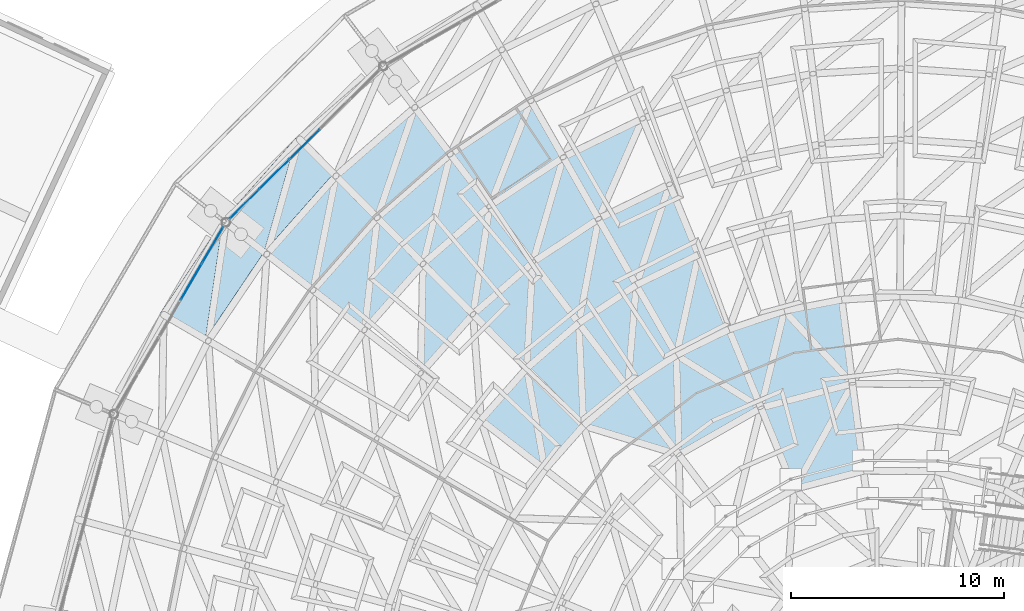
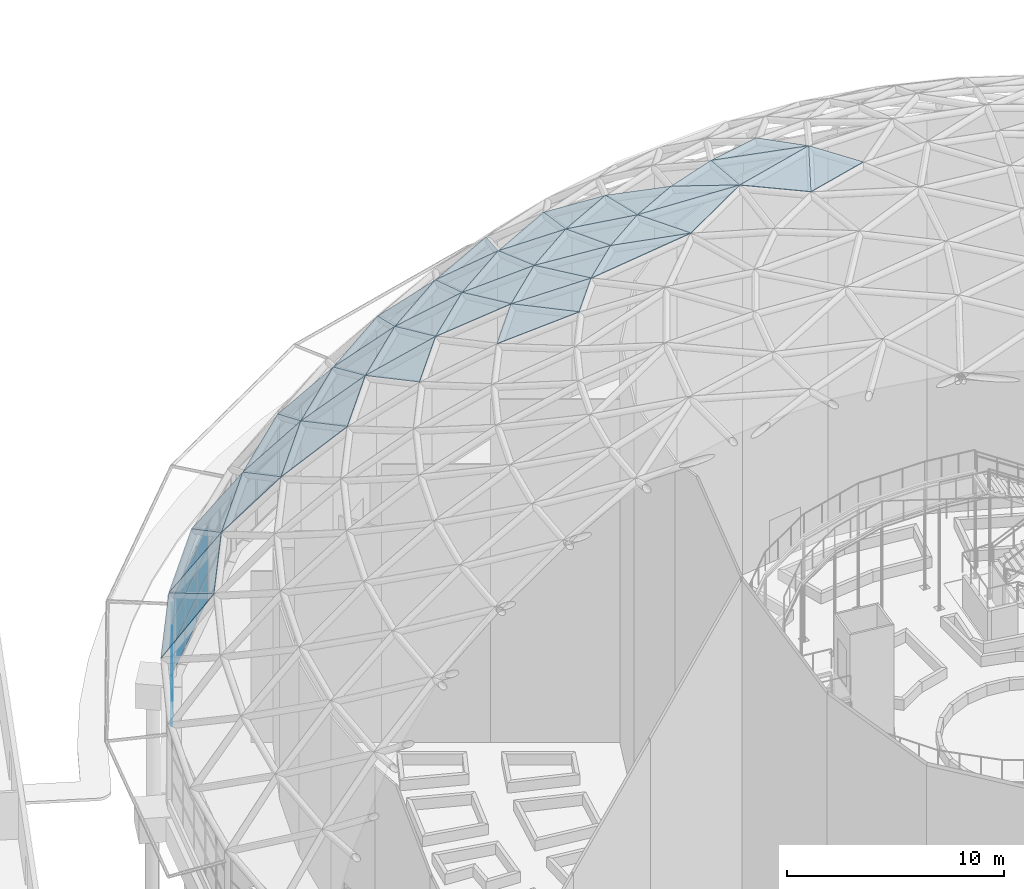
# One storey, part 141 of 226: 58 plates, 2 elements without a shape of their own.
"""IFC4 building model written with IfcOpenShell, lengths in metres."""

from ifc_helpers import new_model, si_unit, direction, frame, origin, origin_2d, place, context, subcontext, project, spatial, polyline, rectangle, outline, extrude, material, layer, layer_set, type_object, element, aggregate, save


model = new_model("IFC4")

# Units and contexts
model_context = context("Model", 3, precision=1e-05, world=origin(), true_north=direction((0.0, 1.0)))
body_context = subcontext(model_context, "Body", "Model", "MODEL_VIEW")
ifc_project = project(units=[si_unit("LENGTHUNIT", "METRE"), si_unit("AREAUNIT", "SQUARE_METRE"), si_unit("VOLUMEUNIT", "CUBIC_METRE"), si_unit("PLANEANGLEUNIT", "RADIAN"), si_unit("MASSUNIT", "GRAM", prefix="KILO")], contexts=[model_context])

# Site, building, storey
site_placement = place(None, origin())
site = spatial("IfcSite", under=ifc_project, at=site_placement, CompositionType="ELEMENT")
building_placement = place(site_placement, origin())
building = spatial("IfcBuilding", under=site, at=building_placement, Name="Ceibo Conservatory and Research Tower", CompositionType="ELEMENT")
storey_placement = place(building_placement, origin())
storey = spatial("IfcBuildingStorey", under=building, at=storey_placement, Name="L00", CompositionType="ELEMENT", Elevation=0.0)

# Curtain wall, plates
ifc_material_1 = material(Name="Aluminium and glass", Category="aluminium")
curtain_wall_type = type_object("IfcCurtainWallType", Name="Drum curtain wall", PredefinedType="NOTDEFINED", material=ifc_material_1)
curtain_wall_1_placement = place(storey_placement, origin())
curtain_wall_1 = element("IfcCurtainWall", 1, at=curtain_wall_1_placement, inside=storey, type_object=curtain_wall_type, Name="Drum curtain wall A-CW09", PredefinedType="NOTDEFINED")
ifc_material_2 = material(Name="Laminated glass", Category="glass")
ifc_layer_1 = layer(ifc_material_2, 0.028076171875)
ifc_layer_set_1 = layer_set([ifc_layer_1], Name="Laminated glass")
plate_type_1 = type_object("IfcPlateType", Name="Drum glass 28", PredefinedType="CURTAIN_PANEL", material=ifc_layer_set_1)
plate_1_placement = place(storey_placement, frame((128.080322265625, 136.164306640625, 0.06005859375), z_axis=(0.0, 0.0, 1.0), x_axis=(-0.71018535052, -0.704014749779, 0.0)))
plate_1 = element("IfcPlate", 2, at=plate_1_placement, type_object=plate_type_1, Name="A-CW09 panel 3.1", PredefinedType="CURTAIN_PANEL", context=body_context, shape_type="SweptSolid", body=[
    extrude(rectangle(XDim=1.947021484375, YDim=0.028076171875, at=origin_2d()), origin(), (0.0, 0.0, 1.0), 1.43994140625),
])
plate_2_placement = place(storey_placement, frame((128.080322265625, 136.164306640625, 1.56005859375), z_axis=(0.0, 0.0, 1.0), x_axis=(-0.71018535052, -0.704014749779, 0.0)))
plate_2 = element("IfcPlate", 3, at=plate_2_placement, type_object=plate_type_1, Name="A-CW09 panel 3.2", PredefinedType="CURTAIN_PANEL", context=body_context, shape_type="SweptSolid", body=[
    extrude(rectangle(XDim=1.947021484375, YDim=0.028076171875, at=origin_2d()), origin(), (0.0, 0.0, 1.0), 1.425048828125),
])
plate_3_placement = place(storey_placement, frame((128.080322265625, 136.164306640625, 3.044921875), z_axis=(0.0, 0.0, 1.0), x_axis=(-0.71018535052, -0.704014749779, 0.0)))
plate_3 = element("IfcPlate", 4, at=plate_3_placement, type_object=plate_type_1, Name="A-CW09 panel 3.3", PredefinedType="CURTAIN_PANEL", context=body_context, shape_type="SweptSolid", body=[
    extrude(rectangle(XDim=1.947021484375, YDim=0.028076171875, at=origin_2d()), origin(), (0.0, 0.0, 1.0), 1.233154296875),
])
plate_4_placement = place(storey_placement, frame((126.65478515625, 134.751220703125, 0.06005859375), z_axis=(0.0, 0.0, 1.0), x_axis=(-0.71018535052, -0.704014749779, 0.0)))
plate_4 = element("IfcPlate", 5, at=plate_4_placement, type_object=plate_type_1, Name="A-CW09 panel 4.1", PredefinedType="CURTAIN_PANEL", context=body_context, shape_type="SweptSolid", body=[
    extrude(rectangle(XDim=1.947021484375, YDim=0.028076171875, at=origin_2d()), origin(), (0.0, 0.0, 1.0), 1.43994140625),
])
plate_5_placement = place(storey_placement, frame((126.65478515625, 134.751220703125, 1.56005859375), z_axis=(0.0, 0.0, 1.0), x_axis=(-0.71018535052, -0.704014749779, 0.0)))
plate_5 = element("IfcPlate", 6, at=plate_5_placement, type_object=plate_type_1, Name="A-CW09 panel 4.2", PredefinedType="CURTAIN_PANEL", context=body_context, shape_type="SweptSolid", body=[
    extrude(rectangle(XDim=1.947021484375, YDim=0.028076171875, at=origin_2d()), origin(), (0.0, 0.0, 1.0), 1.425048828125),
])
plate_6_placement = place(storey_placement, frame((126.65478515625, 134.751220703125, 3.044921875), z_axis=(0.0, 0.0, 1.0), x_axis=(-0.71018535052, -0.704014749779, 0.0)))
plate_6 = element("IfcPlate", 7, at=plate_6_placement, type_object=plate_type_1, Name="A-CW09 panel 4.3", PredefinedType="CURTAIN_PANEL", context=body_context, shape_type="SweptSolid", body=[
    extrude(rectangle(XDim=1.947021484375, YDim=0.028076171875, at=origin_2d()), origin(), (0.0, 0.0, 1.0), 1.233154296875),
])
plate_7_placement = place(storey_placement, frame((125.239990234375, 133.348876953125, 0.06005859375), z_axis=(0.0, 0.0, 1.0), x_axis=(-0.71018535052, -0.704014749779, 0.0)))
plate_7 = element("IfcPlate", 8, at=plate_7_placement, type_object=plate_type_1, Name="A-CW09 panel 5.1", PredefinedType="CURTAIN_PANEL", context=body_context, shape_type="SweptSolid", body=[
    extrude(rectangle(XDim=1.917236328125, YDim=0.028076171875, at=origin_2d()), origin(), (0.0, 0.0, 1.0), 1.43994140625),
])
plate_8_placement = place(storey_placement, frame((125.239990234375, 133.348876953125, 1.56005859375), z_axis=(0.0, 0.0, 1.0), x_axis=(-0.71018535052, -0.704014749779, 0.0)))
plate_8 = element("IfcPlate", 9, at=plate_8_placement, type_object=plate_type_1, Name="A-CW09 panel 5.2", PredefinedType="CURTAIN_PANEL", context=body_context, shape_type="SweptSolid", body=[
    extrude(rectangle(XDim=1.917236328125, YDim=0.028076171875, at=origin_2d()), origin(), (0.0, 0.0, 1.0), 1.425048828125),
])
plate_9_placement = place(storey_placement, frame((125.239990234375, 133.348876953125, 3.044921875), z_axis=(0.0, 0.0, 1.0), x_axis=(-0.71018535052, -0.704014749779, 0.0)))
plate_9 = element("IfcPlate", 10, at=plate_9_placement, type_object=plate_type_1, Name="A-CW09 panel 5.3", PredefinedType="CURTAIN_PANEL", context=body_context, shape_type="SweptSolid", body=[
    extrude(rectangle(XDim=1.917236328125, YDim=0.028076171875, at=origin_2d()), origin(), (0.0, 0.0, 1.0), 1.233154296875),
])
aggregate(curtain_wall_1, [plate_1, plate_2, plate_3, plate_4, plate_5, plate_6, plate_7, plate_8, plate_9])

curtain_wall_2_placement = place(storey_placement, origin())
curtain_wall_2 = element("IfcCurtainWall", 11, at=curtain_wall_2_placement, inside=storey, type_object=curtain_wall_type, Name="Drum curtain wall A-CW10", PredefinedType="NOTDEFINED")
plate_10_placement = place(storey_placement, frame((123.7568359375, 131.433349609375, 0.06005859375), z_axis=(0.0, 0.0, 1.0), x_axis=(-0.503773971965, -0.863835508167, 0.0)))
plate_10 = element("IfcPlate", 12, at=plate_10_placement, type_object=plate_type_1, Name="A-CW10 panel 1.1", PredefinedType="CURTAIN_PANEL", context=body_context, shape_type="SweptSolid", body=[
    extrude(rectangle(XDim=1.917236328125, YDim=0.028076171875, at=origin_2d()), origin(), (0.0, 0.0, 1.0), 1.43994140625),
])
plate_11_placement = place(storey_placement, frame((123.7568359375, 131.433349609375, 1.56005859375), z_axis=(0.0, 0.0, 1.0), x_axis=(-0.503773971965, -0.863835508167, 0.0)))
plate_11 = element("IfcPlate", 13, at=plate_11_placement, type_object=plate_type_1, Name="A-CW10 panel 1.2", PredefinedType="CURTAIN_PANEL", context=body_context, shape_type="SweptSolid", body=[
    extrude(rectangle(XDim=1.917236328125, YDim=0.028076171875, at=origin_2d()), origin(), (0.0, 0.0, 1.0), 1.425048828125),
])
plate_12_placement = place(storey_placement, frame((123.7568359375, 131.433349609375, 3.044921875), z_axis=(0.0, 0.0, 1.0), x_axis=(-0.503773971965, -0.863835508167, 0.0)))
plate_12 = element("IfcPlate", 14, at=plate_12_placement, type_object=plate_type_1, Name="A-CW10 panel 1.3", PredefinedType="CURTAIN_PANEL", context=body_context, shape_type="SweptSolid", body=[
    extrude(rectangle(XDim=1.917236328125, YDim=0.028076171875, at=origin_2d()), origin(), (0.0, 0.0, 1.0), 1.233154296875),
])
plate_13_placement = place(storey_placement, frame((122.75341796875, 129.71240234375, 0.06005859375), z_axis=(0.0, 0.0, 1.0), x_axis=(-0.503773971965, -0.863835508167, 0.0)))
plate_13 = element("IfcPlate", 15, at=plate_13_placement, type_object=plate_type_1, Name="A-CW10 panel 2.1", PredefinedType="CURTAIN_PANEL", context=body_context, shape_type="SweptSolid", body=[
    extrude(rectangle(XDim=1.947021484375, YDim=0.028076171875, at=origin_2d()), origin(), (0.0, 0.0, 1.0), 1.43994140625),
])
plate_14_placement = place(storey_placement, frame((122.75341796875, 129.71240234375, 1.56005859375), z_axis=(0.0, 0.0, 1.0), x_axis=(-0.503773971965, -0.863835508167, 0.0)))
plate_14 = element("IfcPlate", 16, at=plate_14_placement, type_object=plate_type_1, Name="A-CW10 panel 2.2", PredefinedType="CURTAIN_PANEL", context=body_context, shape_type="SweptSolid", body=[
    extrude(rectangle(XDim=1.947021484375, YDim=0.028076171875, at=origin_2d()), origin(), (0.0, 0.0, 1.0), 1.425048828125),
])
plate_15_placement = place(storey_placement, frame((122.75341796875, 129.71240234375, 3.044921875), z_axis=(0.0, 0.0, 1.0), x_axis=(-0.503773971965, -0.863835508167, 0.0)))
plate_15 = element("IfcPlate", 17, at=plate_15_placement, type_object=plate_type_1, Name="A-CW10 panel 2.3", PredefinedType="CURTAIN_PANEL", context=body_context, shape_type="SweptSolid", body=[
    extrude(rectangle(XDim=1.947021484375, YDim=0.028076171875, at=origin_2d()), origin(), (0.0, 0.0, 1.0), 1.233154296875),
])
aggregate(curtain_wall_2, [plate_10, plate_11, plate_12, plate_13, plate_14, plate_15])

# Plates
ifc_layer_2 = layer(ifc_material_2, 0.035888671875)
ifc_layer_set_2 = layer_set([ifc_layer_2], Name="Laminated glass")
plate_type_2 = type_object("IfcPlateType", Name="Gridshell roof glass 36", PredefinedType="SHEET", material=ifc_layer_set_2)
plate_16_placement = place(storey_placement, frame((127.72119140625, 136.52587890625, 4.601806640625), z_axis=(-0.621519302072, 0.550014692327, 0.557850871987), x_axis=(-0.662715248583, -0.748871483831, 0.0)))
element("IfcPlate", 18, at=plate_16_placement, inside=storey, type_object=plate_type_2, Name="Glass panel A-P01-035", PredefinedType="SHEET", context=body_context, shape_type="SweptSolid", body=[
    extrude(outline(polyline([(0.0, 0.0), (5.253673369624577, -2.220446049250313e-16), (5.093223811778246, 4.375133432903766), (0.0, 0.0)])), origin(), (0.0, 0.0, -1.0), 0.035888671875),
])
plate_17_placement = place(storey_placement, frame((127.72119140625, 136.52587890625, 4.601806640625), z_axis=(-0.621608240048, 0.549990034945, 0.557776081745), x_axis=(-0.23049193929, -0.808957984747, 0.540796121321)))
element("IfcPlate", 19, at=plate_17_placement, inside=storey, type_object=plate_type_2, Name="Glass panel A-P01-036", PredefinedType="SHEET", context=body_context, shape_type="SweptSolid", body=[
    extrude(outline(polyline([(0.0, 0.0), (6.714366787164462, -4.440892098500626e-16), (2.971159863817821, 3.2151161593656585), (0.0, 0.0)])), origin(), (0.0, 0.0, -1.0), 0.035888671875),
])
plate_18_placement = place(storey_placement, frame((124.239501953125, 132.591552734375, 4.601806640625), z_axis=(-0.68820271727, 0.464034461216, 0.557717705247), x_axis=(-0.559056986428, -0.829129233549, 0.0)))
element("IfcPlate", 20, at=plate_18_placement, inside=storey, type_object=plate_type_2, Name="Glass panel A-P01-037", PredefinedType="SHEET", context=body_context, shape_type="SweptSolid", body=[
    extrude(outline(polyline([(0.0, 0.0), (5.253947147933437, 0.0), (5.094956012465321, 4.374661708386486), (0.0, 0.0)])), origin(), (0.0, 0.0, -1.0), 0.035888671875),
])
plate_19_placement = place(storey_placement, frame((124.239501953125, 132.591552734375, 4.601806640625), z_axis=(-0.688043618421, 0.464101988364, 0.55785779868), x_axis=(-0.122917876087, -0.83217692506, 0.540715046152)))
element("IfcPlate", 21, at=plate_19_placement, inside=storey, type_object=plate_type_2, Name="Glass panel A-P01-038", PredefinedType="SHEET", context=body_context, shape_type="SweptSolid", body=[
    extrude(outline(polyline([(0.0, 0.0), (6.715373543726326, 4.440892098500626e-16), (2.971689587025395, 3.2150579488852484), (0.0, 0.0)])), origin(), (0.0, 0.0, -1.0), 0.035888671875),
])
plate_20_placement = place(storey_placement, frame((133.166748046875, 138.027099609375, 8.23291015625), z_axis=(-0.508241482158, 0.584554362322, 0.632445091138), x_axis=(-0.754648131448, -0.656129711035, 0.0)))
element("IfcPlate", 22, at=plate_20_placement, inside=storey, type_object=plate_type_2, Name="Glass panel A-P02-033", PredefinedType="SHEET", context=body_context, shape_type="SweptSolid", body=[
    extrude(outline(polyline([(0.0, 0.0), (4.933940093024697, 0.0), (4.7529268761876, 4.372817348937347), (0.0, 0.0)])), origin(), (0.0, 0.0, -1.0), 0.035888671875),
])
plate_21_placement = place(storey_placement, frame((133.166748046875, 138.027099609375, 8.23291015625), z_axis=(-0.508200679396, 0.584559010355, 0.632473582749), x_axis=(-0.274401920148, -0.806006025814, 0.524459600513)))
element("IfcPlate", 23, at=plate_21_placement, inside=storey, type_object=plate_type_2, Name="Glass panel A-P02-034", PredefinedType="SHEET", context=body_context, shape_type="SweptSolid", body=[
    extrude(outline(polyline([(0.0, 0.0), (6.458470829658818, 2.220446049250313e-16), (3.094106091212218, 3.095475432306432), (0.0, 0.0)])), origin(), (0.0, 0.0, -1.0), 0.035888671875),
])
plate_22_placement = place(storey_placement, frame((129.443359375, 134.789794921875, 8.23291015625), z_axis=(-0.580128380143, 0.51328925119, 0.632443837163), x_axis=(-0.662645405262, -0.748933286004, 0.0)))
element("IfcPlate", 24, at=plate_22_placement, inside=storey, type_object=plate_type_2, Name="Glass panel A-P02-035", PredefinedType="SHEET", context=body_context, shape_type="SweptSolid", body=[
    extrude(outline(polyline([(0.0, 0.0), (4.934427017314615, 0.0), (4.753419390065305, 4.372811569164403), (0.0, 0.0)])), origin(), (0.0, 0.0, -1.0), 0.035888671875),
])
plate_23_placement = place(storey_placement, frame((129.443359375, 134.789794921875, 8.23291015625), z_axis=(-0.580128495809, 0.513289222372, 0.632443754453), x_axis=(-0.166998262122, -0.834915711577, 0.524430486347)))
element("IfcPlate", 25, at=plate_23_placement, inside=storey, type_object=plate_type_2, Name="Glass panel A-P02-036", PredefinedType="SHEET", context=body_context, shape_type="SweptSolid", body=[
    extrude(outline(polyline([(0.0, 0.0), (6.458829376695661, 4.440892098500626e-16), (3.093844952009283, 3.0955485402047636), (0.0, 0.0)])), origin(), (0.0, 0.0, -1.0), 0.035888671875),
])
plate_24_placement = place(storey_placement, frame((138.65673828125, 138.344482421875, 11.6201171875), z_axis=(-0.393228083192, 0.594027021184, 0.701785987814), x_axis=(-0.833853404123, -0.551985960357, 0.0)))
element("IfcPlate", 26, at=plate_24_placement, inside=storey, type_object=plate_type_2, Name="Glass panel A-P03-031", PredefinedType="SHEET", context=body_context, shape_type="SweptSolid", body=[
    extrude(outline(polyline([(0.0, 0.0), (4.571561020077669, 2.220446049250313e-16), (4.37128869689279, 4.372604474401962), (0.0, 0.0)])), origin(), (0.0, 0.0, -1.0), 0.035888671875),
])
plate_25_placement = place(storey_placement, frame((138.65673828125, 138.344482421875, 11.6201171875), z_axis=(-0.393138862149, 0.594024605118, 0.701838018052), x_axis=(-0.315577242636, -0.804105977108, 0.503810064915)))
element("IfcPlate", 27, at=plate_25_placement, inside=storey, type_object=plate_type_2, Name="Glass panel A-P03-032", PredefinedType="SHEET", context=body_context, shape_type="SweptSolid", body=[
    extrude(outline(polyline([(0.0, 0.0), (6.182866225396012, -2.220446049250313e-16), (3.234773136941577, 2.949405067949826), (0.0, 0.0)])), origin(), (0.0, 0.0, -1.0), 0.035888671875),
])
plate_26_placement = place(storey_placement, frame((134.8447265625, 135.821044921875, 11.6201171875), z_axis=(-0.467446525098, 0.537681449836, 0.701706779699), x_axis=(-0.754676796997, -0.656096739875, 0.0)))
element("IfcPlate", 28, at=plate_26_placement, inside=storey, type_object=plate_type_2, Name="Glass panel A-P03-033", PredefinedType="SHEET", context=body_context, shape_type="SweptSolid", body=[
    extrude(outline(polyline([(0.0, 0.0), (4.571752207339714, -2.220446049250313e-16), (4.371737798924635, 4.3721256395802985), (0.0, 0.0)])), origin(), (0.0, 0.0, -1.0), 0.035888671875),
])
plate_27_placement = place(storey_placement, frame((134.8447265625, 135.821044921875, 11.6201171875), z_axis=(-0.467327715494, 0.537693821888, 0.701776431804), x_axis=(-0.208055826173, -0.83838324185, 0.503811783288)))
element("IfcPlate", 29, at=plate_27_placement, inside=storey, type_object=plate_type_2, Name="Glass panel A-P03-034", PredefinedType="SHEET", context=body_context, shape_type="SweptSolid", body=[
    extrude(outline(polyline([(0.0, 0.0), (6.182845137218127, -2.220446049250313e-16), (3.2347754358287153, 2.948899247643614), (0.0, 0.0)])), origin(), (0.0, 0.0, -1.0), 0.035888671875),
])
plate_28_placement = place(storey_placement, frame((131.39453125, 132.821533203125, 11.6201171875), z_axis=(-0.533605668145, 0.472126503755, 0.701684797737), x_axis=(-0.66264531029, -0.748933370034, 0.0)))
element("IfcPlate", 30, at=plate_28_placement, inside=storey, type_object=plate_type_2, Name="Glass panel A-P03-035", PredefinedType="SHEET", context=body_context, shape_type="SweptSolid", body=[
    extrude(outline(polyline([(0.0, 0.0), (4.57225775117127, 2.220446049250313e-16), (4.370635782508655, 4.371992790043444), (0.0, 0.0)])), origin(), (0.0, 0.0, -1.0), 0.035888671875),
])
plate_29_placement = place(storey_placement, frame((131.39453125, 132.821533203125, 11.6201171875), z_axis=(-0.533592142601, 0.472129738311, 0.701692906874), x_axis=(-0.096835250988, -0.858326812798, 0.50388293938)))
element("IfcPlate", 31, at=plate_29_placement, inside=storey, type_object=plate_type_2, Name="Glass panel A-P03-036", PredefinedType="SHEET", context=body_context, shape_type="SweptSolid", body=[
    extrude(outline(polyline([(0.0, 0.0), (6.1819720235161935, -6.661338147750939e-16), (3.2347127102858355, 2.9482405013438653), (0.0, 0.0)])), origin(), (0.0, 0.0, -1.0), 0.035888671875),
])
plate_30_placement = place(storey_placement, frame((143.9306640625, 137.501953125, 14.735107421875), z_axis=(-0.282302296768, 0.578859237962, 0.765001565923), x_axis=(-0.898810085278, -0.438338260482, 0.0)))
element("IfcPlate", 32, at=plate_30_placement, inside=storey, type_object=plate_type_2, Name="Glass panel A-P04-029", PredefinedType="SHEET", context=body_context, shape_type="SweptSolid", body=[
    extrude(outline(polyline([(0.0, 0.0), (4.169466559322997, 0.0), (3.95052041042427, 4.371971400995099), (0.0, 0.0)])), origin(), (0.0, 0.0, -1.0), 0.035888671875),
])
plate_31_placement = place(storey_placement, frame((140.18310546875, 135.67431640625, 14.735107421875), z_axis=(-0.355402928291, 0.537006397642, 0.765057440624), x_axis=(-0.833910016374, -0.551900429961, 0.0)))
element("IfcPlate", 33, at=plate_31_placement, inside=storey, type_object=plate_type_2, Name="Glass panel A-P04-031", PredefinedType="SHEET", context=body_context, shape_type="SweptSolid", body=[
    extrude(outline(polyline([(0.0, 0.0), (4.170161041619487, 0.0), (3.9502943016100325, 4.37242203896505), (0.0, 0.0)])), origin(), (0.0, 0.0, -1.0), 0.035888671875),
])
plate_32_placement = place(storey_placement, frame((140.18310546875, 135.67431640625, 14.735107421875), z_axis=(-0.355533521207, 0.53700902409, 0.764994917202), x_axis=(-0.245731020389, -0.843382338736, 0.47783103324)))
element("IfcPlate", 34, at=plate_32_placement, inside=storey, type_object=plate_type_2, Name="Glass panel A-P04-032", PredefinedType="SHEET", context=body_context, shape_type="SweptSolid", body=[
    extrude(outline(polyline([(0.0, 0.0), (5.892613983298073, 0.0), (3.3911789072796203, 2.768027631014263), (0.0, 0.0)])), origin(), (0.0, 0.0, -1.0), 0.035888671875),
])
plate_33_placement = place(storey_placement, frame((136.70556640625, 133.372802734375, 14.735107421875), z_axis=(-0.422497022382, 0.486112916416, 0.764977449715), x_axis=(-0.754766842474, -0.655993150499, 0.0)))
element("IfcPlate", 35, at=plate_33_placement, inside=storey, type_object=plate_type_2, Name="Glass panel A-P04-033", PredefinedType="SHEET", context=body_context, shape_type="SweptSolid", body=[
    extrude(outline(polyline([(0.0, 0.0), (4.169786773565685, -4.440892098500626e-16), (3.9498270400957947, 4.371776953306844), (0.0, 0.0)])), origin(), (0.0, 0.0, -1.0), 0.035888671875),
])
plate_34_placement = place(storey_placement, frame((136.70556640625, 133.372802734375, 14.735107421875), z_axis=(-0.422302514767, 0.486134532114, 0.765071109576), x_axis=(-0.133634978358, -0.868192268699, 0.477895257489)))
element("IfcPlate", 36, at=plate_34_placement, inside=storey, type_object=plate_type_2, Name="Glass panel A-P04-034", PredefinedType="SHEET", context=body_context, shape_type="SweptSolid", body=[
    extrude(outline(polyline([(0.0, 0.0), (5.891822076076023, 0.0), (3.390901302280932, 2.769152258070897), (0.0, 0.0)])), origin(), (0.0, 0.0, -1.0), 0.035888671875),
])
plate_35_placement = place(storey_placement, frame((133.558349609375, 130.637451171875, 14.735107421875), z_axis=(-0.4823950762, 0.426726001713, 0.764983601079), x_axis=(-0.019060250914, -0.878221778533, 0.47787363868)))
element("IfcPlate", 37, at=plate_35_placement, inside=storey, type_object=plate_type_2, Name="Glass panel A-P04-036", PredefinedType="SHEET", context=body_context, shape_type="SweptSolid", body=[
    extrude(outline(polyline([(0.0, 0.0), (5.892088619708453, 0.0), (3.3906216276125063, 2.7684835184951595), (0.0, 0.0)])), origin(), (0.0, 0.0, -1.0), 0.035888671875),
])
plate_36_placement = place(storey_placement, frame((145.198974609375, 134.400146484375, 17.55078125), z_axis=(-0.249985368139, 0.512356222357, 0.821582872952), x_axis=(-0.898730078547, -0.438502275837, 0.0)))
element("IfcPlate", 38, at=plate_36_placement, inside=storey, type_object=plate_type_2, Name="Glass panel A-P05-029", PredefinedType="SHEET", context=body_context, shape_type="SweptSolid", body=[
    extrude(outline(polyline([(0.0, 0.0), (3.7308502561409647, -2.220446049250313e-16), (3.4961486099480634, 4.370290669564486), (0.0, 0.0)])), origin(), (0.0, 0.0, -1.0), 0.035888671875),
])
plate_37_placement = place(storey_placement, frame((145.198974609375, 134.400146484375, 17.55078125), z_axis=(-0.25001167626, 0.512359595382, 0.821572764126), x_axis=(-0.280100925125, -0.850510471446, 0.44516896759)))
element("IfcPlate", 39, at=plate_37_placement, inside=storey, type_object=plate_type_2, Name="Glass panel A-P05-030", PredefinedType="SHEET", context=body_context, shape_type="SweptSolid", body=[
    extrude(outline(polyline([(0.0, 0.0), (5.596650394595342, 2.220446049250313e-16), (3.559665229671319, 2.546125851811305), (0.0, 0.0)])), origin(), (0.0, 0.0, -1.0), 0.035888671875),
])
plate_38_placement = place(storey_placement, frame((141.845947265625, 132.76416015625, 17.55078125), z_axis=(-0.314765129979, 0.475431162422, 0.821515747108), x_axis=(-0.833817923828, -0.552039554655, 0.0)))
element("IfcPlate", 40, at=plate_38_placement, inside=storey, type_object=plate_type_2, Name="Glass panel A-P05-031", PredefinedType="SHEET", context=body_context, shape_type="SweptSolid", body=[
    extrude(outline(polyline([(0.0, 0.0), (3.730838297969221, 0.0), (3.4965291059106676, 4.369549294933934), (0.0, 0.0)])), origin(), (0.0, 0.0, -1.0), 0.035888671875),
])
plate_39_placement = place(storey_placement, frame((141.845947265625, 132.76416015625, 17.55078125), z_axis=(-0.31459254418, 0.475431717378, 0.821581531716), x_axis=(-0.16686674284, -0.879747643429, 0.445196107368)))
element("IfcPlate", 41, at=plate_39_placement, inside=storey, type_object=plate_type_2, Name="Glass panel A-P05-032", PredefinedType="SHEET", context=body_context, shape_type="SweptSolid", body=[
    extrude(outline(polyline([(0.0, 0.0), (5.596309214950338, -2.220446049250313e-16), (3.55961441177119, 2.5463052917352464), (0.0, 0.0)])), origin(), (0.0, 0.0, -1.0), 0.035888671875),
])
plate_40_placement = place(storey_placement, frame((138.735107421875, 130.70458984375, 17.55078125), z_axis=(-0.37383887323, 0.430345497289, 0.821612591083), x_axis=(-0.754930818395, -0.655804436885, 0.0)))
element("IfcPlate", 42, at=plate_40_placement, inside=storey, type_object=plate_type_2, Name="Glass panel A-P05-033", PredefinedType="SHEET", context=body_context, shape_type="SweptSolid", body=[
    extrude(outline(polyline([(0.0, 0.0), (3.731328040413893, 0.0), (3.4945821449068966, 4.370619032784091), (0.0, 0.0)])), origin(), (0.0, 0.0, -1.0), 0.035888671875),
])
plate_41_placement = place(storey_placement, frame((138.735107421875, 130.70458984375, 17.55078125), z_axis=(-0.374112664244, 0.430308562674, 0.821507306931), x_axis=(-0.050608782452, -0.893986690713, 0.445226400797)))
element("IfcPlate", 43, at=plate_41_placement, inside=storey, type_object=plate_type_2, Name="Glass panel A-P05-034", PredefinedType="SHEET", context=body_context, shape_type="SweptSolid", body=[
    extrude(outline(polyline([(0.0, 0.0), (5.595928439252654, 0.0), (3.559258005144204, 2.54549490102763), (0.0, 0.0)])), origin(), (0.0, 0.0, -1.0), 0.035888671875),
])
plate_42_placement = place(storey_placement, frame((146.561767578125, 131.070068359375, 20.042236328125), z_axis=(-0.215291648719, 0.441206361546, 0.871198285423), x_axis=(-0.898713029522, -0.438537216855, 0.0)))
element("IfcPlate", 44, at=plate_42_placement, inside=storey, type_object=plate_type_2, Name="Glass panel A-P06-029", PredefinedType="SHEET", context=body_context, shape_type="SweptSolid", body=[
    extrude(outline(polyline([(0.0, 0.0), (3.2606848077332447, 0.0), (3.0112453088253677, 4.370778407725669), (0.0, 0.0)])), origin(), (0.0, 0.0, -1.0), 0.035888671875),
])
plate_43_placement = place(storey_placement, frame((146.561767578125, 131.070068359375, 20.042236328125), z_axis=(-0.215375465247, 0.44121363703, 0.871173883601), x_axis=(-0.195260449796, -0.893552296286, 0.404274226915)))
element("IfcPlate", 45, at=plate_43_placement, inside=storey, type_object=plate_type_2, Name="Glass panel A-P06-030", PredefinedType="SHEET", context=body_context, shape_type="SweptSolid", body=[
    extrude(outline(polyline([(0.0, 0.0), (5.307664476901654, 1.1102230246251565e-16), (3.7409298838478167, 2.273469361313094), (0.0, 0.0)])), origin(), (0.0, 0.0, -1.0), 0.035888671875),
])
plate_44_placement = place(storey_placement, frame((143.63134765625, 129.64013671875, 20.042236328125), z_axis=(-0.270919235657, 0.409429911363, 0.871188794368), x_axis=(-0.833957542298, -0.551828612564, 0.0)))
element("IfcPlate", 46, at=plate_44_placement, inside=storey, type_object=plate_type_2, Name="Glass panel A-P06-031", PredefinedType="SHEET", context=body_context, shape_type="SweptSolid", body=[
    extrude(outline(polyline([(0.0, 0.0), (3.2606435499784197, 0.0), (3.009574685567654, 4.370628465448766), (0.0, 0.0)])), origin(), (0.0, 0.0, -1.0), 0.035888671875),
])
plate_45_placement = place(storey_placement, frame((143.63134765625, 129.64013671875, 20.042236328125), z_axis=(-0.270871070921, 0.409432041815, 0.87120276978), x_axis=(-0.077015776295, -0.911353352823, 0.404355829066)))
element("IfcPlate", 47, at=plate_45_placement, inside=storey, type_object=plate_type_2, Name="Glass panel A-P06-032", PredefinedType="SHEET", context=body_context, shape_type="SweptSolid", body=[
    extrude(outline(polyline([(0.0, 0.0), (5.306593348938722, 1.1102230246251565e-16), (3.7408566000053782, 2.2741846563664385), (0.0, 0.0)])), origin(), (0.0, 0.0, -1.0), 0.035888671875),
])
plate_46_placement = place(storey_placement, frame((140.912109375, 127.8408203125, 20.042236328125), z_axis=(-0.322152200179, 0.370543056866, 0.871157737111), x_axis=(-0.754665172974, -0.656110110194, 0.0)))
element("IfcPlate", 48, at=plate_46_placement, inside=storey, type_object=plate_type_2, Name="Glass panel A-P06-033", PredefinedType="SHEET", context=body_context, shape_type="SweptSolid", body=[
    extrude(outline(polyline([(0.0, 0.0), (3.2599955135443306, 2.220446049250313e-16), (3.010650730798408, 4.370137933662338), (0.0, 0.0)])), origin(), (0.0, 0.0, -1.0), 0.035888671875),
])
plate_47_placement = place(storey_placement, frame((140.912109375, 127.8408203125, 20.042236328125), z_axis=(-0.322007233127, 0.370568701303, 0.871200424374), x_axis=(0.042554852187, -0.913618172511, 0.404340103641)))
element("IfcPlate", 49, at=plate_47_placement, inside=storey, type_object=plate_type_2, Name="Glass panel A-P06-034", PredefinedType="SHEET", context=body_context, shape_type="SweptSolid", body=[
    extrude(outline(polyline([(0.0, 0.0), (5.306799730731464, 0.0), (3.7404738134429705, 2.274705345449151), (0.0, 0.0)])), origin(), (0.0, 0.0, -1.0), 0.035888671875),
])
plate_48_placement = place(storey_placement, frame((138.451904296875, 125.701904296875, 20.042236328125), z_axis=(-0.367795186242, 0.325295062762, 0.871154305), x_axis=(-0.662502793628, -0.749059442524, 0.0)))
element("IfcPlate", 50, at=plate_48_placement, inside=storey, type_object=plate_type_2, Name="Glass panel A-P06-035", PredefinedType="SHEET", context=body_context, shape_type="SweptSolid", body=[
    extrude(outline(polyline([(0.0, 0.0), (3.2605994582606237, 4.440892098500626e-16), (3.0116656615227546, 4.370083736621913), (0.0, 0.0)])), origin(), (0.0, 0.0, -1.0), 0.035888671875),
])
plate_49_placement = place(storey_placement, frame((138.451904296875, 125.701904296875, 20.042236328125), z_axis=(-0.367792034064, 0.325296058454, 0.871155264022), x_axis=(0.161370247854, -0.90027854069, 0.404299631809)))
element("IfcPlate", 51, at=plate_49_placement, inside=storey, type_object=plate_type_2, Name="Glass panel A-P06-036", PredefinedType="SHEET", context=body_context, shape_type="SweptSolid", body=[
    extrude(outline(polyline([(0.0, 0.0), (5.307330960273972, 2.220446049250313e-16), (3.740252972516818, 2.273936252733628), (0.0, 0.0)])), origin(), (0.0, 0.0, -1.0), 0.035888671875),
])
plate_50_placement = place(storey_placement, frame((153.840087890625, 124.975830078125, 23.970458984375), z_axis=(-0.077915451172, 0.400470990238, 0.912990782235), x_axis=(-0.11518462208, 0.906026061236, -0.407245968915)))
element("IfcPlate", 52, at=plate_50_placement, inside=storey, type_object=plate_type_2, Name="Glass panel A-P07-020", PredefinedType="SHEET", context=body_context, shape_type="SweptSolid", body=[
    extrude(outline(polyline([(0.0, 0.0), (4.3768897403075, -2.0816681711721685e-17), (4.211304628507482, 2.7563033158266026), (0.0, 0.0)])), origin(), (0.0, 0.0, -1.0), 0.035888671875),
])
plate_51_placement = place(storey_placement, frame((153.840087890625, 124.975830078125, 23.970458984375), z_axis=(-0.100636958708, 0.382139696211, 0.918608434058), x_axis=(-0.638689273207, 0.683121518537, -0.354148278552)))
element("IfcPlate", 53, at=plate_51_placement, inside=storey, type_object=plate_type_2, Name="Glass panel A-P07-021", PredefinedType="SHEET", context=body_context, shape_type="SweptSolid", body=[
    extrude(outline(polyline([(0.0, 0.0), (5.033119772360406, -3.3306690738754696e-16), (1.9819971711480149, 4.003626914101606), (0.0, 0.0)])), origin(), (0.0, 0.0, -1.0), 0.035888671875),
])
plate_52_placement = place(storey_placement, frame((149.52001953125, 123.838134765625, 23.970458984375), z_axis=(-0.129336744741, 0.386892153049, 0.913009566417), x_axis=(0.219612506316, 0.909054153243, -0.354105766037)))
element("IfcPlate", 54, at=plate_52_placement, inside=storey, type_object=plate_type_2, Name="Glass panel A-P07-022", PredefinedType="SHEET", context=body_context, shape_type="SweptSolid", body=[
    extrude(outline(polyline([(0.0, 0.0), (5.0337240284850555, 0.0), (3.6627153495824496, 2.396963439197925), (0.0, 0.0)])), origin(), (0.0, 0.0, -1.0), 0.035888671875),
])
plate_53_placement = place(storey_placement, frame((149.52001953125, 123.838134765625, 23.970458984375), z_axis=(-0.178952643727, 0.366598612819, 0.913006795365), x_axis=(-0.345743113292, 0.845366731436, -0.407206076811)))
element("IfcPlate", 55, at=plate_53_placement, inside=storey, type_object=plate_type_2, Name="Glass panel A-P07-023", PredefinedType="SHEET", context=body_context, shape_type="SweptSolid", body=[
    extrude(outline(polyline([(0.0, 0.0), (4.37731852404168, -4.163336342344337e-17), (4.211284077199785, 2.756039329248196), (0.0, 0.0)])), origin(), (0.0, 0.0, -1.0), 0.035888671875),
])
plate_54_placement = place(storey_placement, frame((149.52001953125, 123.838134765625, 23.970458984375), z_axis=(-0.19608315377, 0.34311311937, 0.918599359963), x_axis=(-0.793694065344, 0.494591412434, -0.354159660865)))
element("IfcPlate", 56, at=plate_54_placement, inside=storey, type_object=plate_type_2, Name="Glass panel A-P07-024", PredefinedType="SHEET", context=body_context, shape_type="SweptSolid", body=[
    extrude(outline(polyline([(0.0, 0.0), (5.032958013260124, -1.1102230246251565e-16), (1.9819163539824523, 4.003031799736386), (0.0, 0.0)])), origin(), (0.0, 0.0, -1.0), 0.035888671875),
])
plate_55_placement = place(storey_placement, frame((145.641845703125, 121.621826171875, 23.970458984375), z_axis=(-0.225113645712, 0.340267933711, 0.912984983339), x_axis=(-0.023137375839, 0.934905203171, -0.354142517814)))
element("IfcPlate", 57, at=plate_55_placement, inside=storey, type_object=plate_type_2, Name="Glass panel A-P07-025", PredefinedType="SHEET", context=body_context, shape_type="SweptSolid", body=[
    extrude(outline(polyline([(0.0, 0.0), (5.033201644713687, 0.0), (3.662211229949117, 2.396629445875303), (0.0, 0.0)])), origin(), (0.0, 0.0, -1.0), 0.035888671875),
])
plate_56_placement = place(storey_placement, frame((145.641845703125, 121.621826171875, 23.970458984375), z_axis=(-0.267606608331, 0.307963993064, 0.912986791884), x_axis=(-0.55274106486, 0.727058940296, -0.407262338737)))
element("IfcPlate", 58, at=plate_56_placement, inside=storey, type_object=plate_type_2, Name="Glass panel A-P07-026", PredefinedType="SHEET", context=body_context, shape_type="SweptSolid", body=[
    extrude(outline(polyline([(0.0, 0.0), (4.376713812165697, 2.42861286636753e-16), (4.211938083613154, 2.756902291896569), (0.0, 0.0)])), origin(), (0.0, 0.0, -1.0), 0.035888671875),
])
plate_57_placement = place(storey_placement, frame((153.840087890625, 124.975830078125, 23.970458984375), z_axis=(-0.082201584525, 0.312136703471, 0.946474288001), x_axis=(-0.967028508009, -0.254668146218, 0.0)))
element("IfcPlate", 59, at=plate_57_placement, inside=storey, type_object=plate_type_2, Name="Glass panel A-P08-013", PredefinedType="SHEET", context=body_context, shape_type="SweptSolid", body=[
    extrude(outline(polyline([(0.0, 0.0), (4.467364016258075, 0.0), (3.9257929376646996, 4.343078488735411), (0.0, 0.0)])), origin(), (0.0, 0.0, -1.0), 0.035888671875),
])
plate_58_placement = place(storey_placement, frame((153.840087890625, 124.975830078125, 23.970458984375), z_axis=(-0.082140865451, 0.312107357561, 0.946489236906), x_axis=(-0.46964751898, -0.849760921174, 0.239452677498)))
element("IfcPlate", 60, at=plate_58_placement, inside=storey, type_object=plate_type_2, Name="Glass panel A-P08-014", PredefinedType="SHEET", context=body_context, shape_type="SweptSolid", body=[
    extrude(outline(polyline([(0.0, 0.0), (5.854415508719405, 5.551115123125783e-17), (3.58480860617293, 2.5116095956523146), (0.0, 0.0)])), origin(), (0.0, 0.0, -1.0), 0.035888671875),
])

save(model, "model.ifc")
